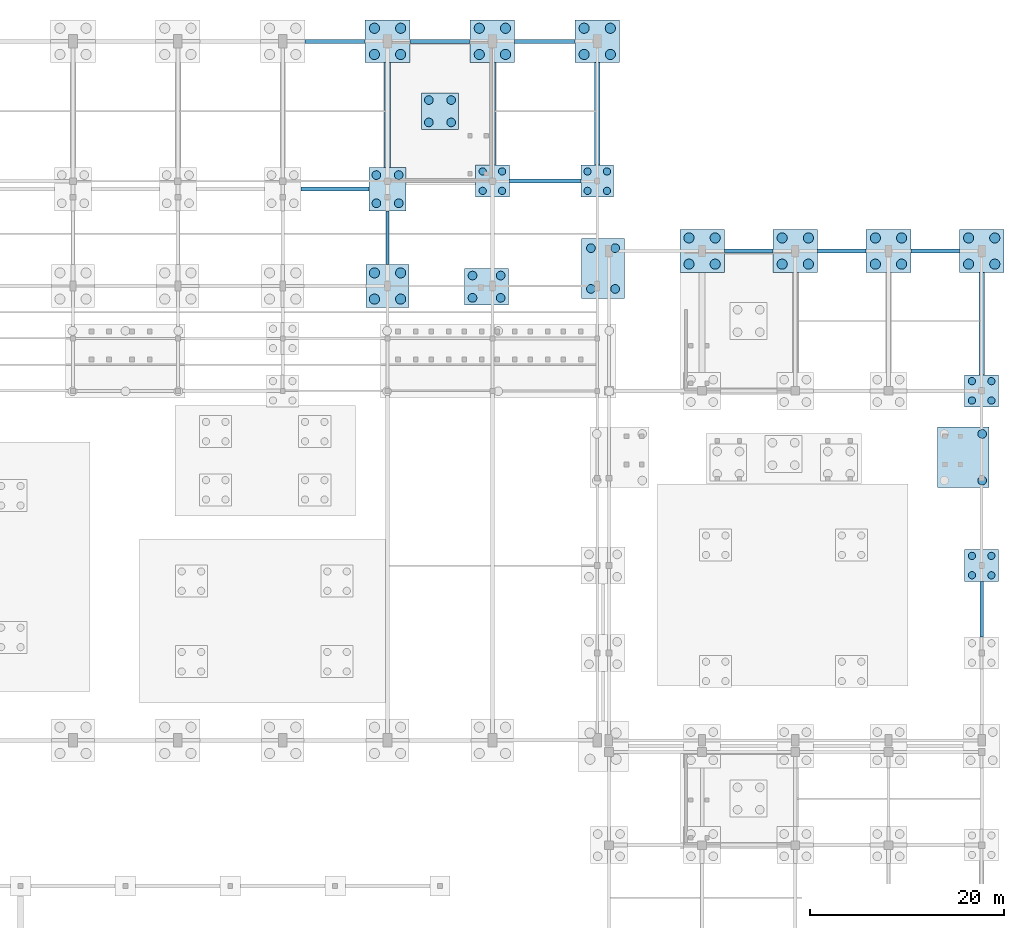
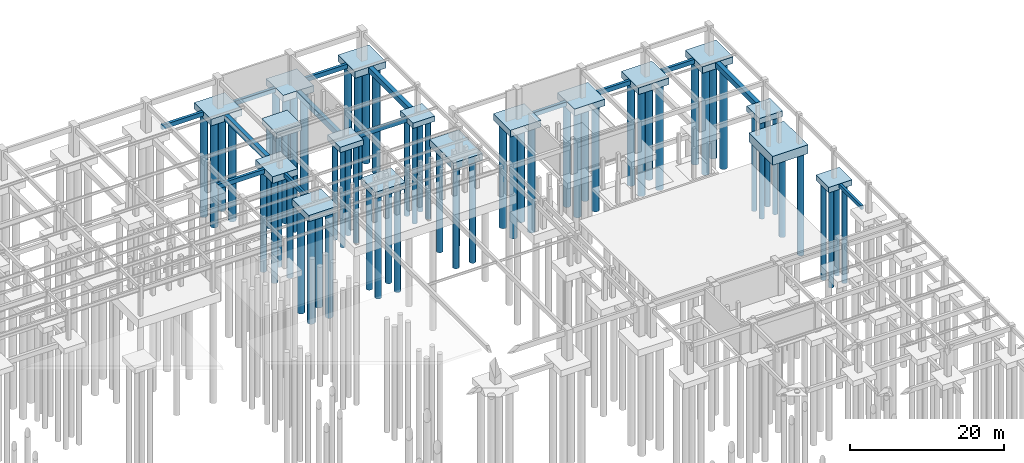
# One storey, part 10 of 33: 66 piles, 31 footings.
"""IFC4 building model written with IfcOpenShell, lengths in metres."""

from ifc_helpers import new_model, si_unit, direction, frame, origin, origin_2d, place, context, subcontext, project, spatial, rectangle, circle, extrude, material, material_profile, profile_set, type_object, element, save


model = new_model("IFC4")

# Units and contexts
model_context = context("Model", 3, precision=1e-05, world=origin(), true_north=direction((0.0, 1.0)))
body_context = subcontext(model_context, "Body", "Model", "MODEL_VIEW")
ifc_project = project(units=[si_unit("LENGTHUNIT", "METRE"), si_unit("AREAUNIT", "SQUARE_METRE"), si_unit("VOLUMEUNIT", "CUBIC_METRE"), si_unit("PLANEANGLEUNIT", "RADIAN"), si_unit("MASSUNIT", "GRAM", prefix="KILO")], contexts=[model_context])

# Site, building, storey
site_placement = place(None, origin())
site = spatial("IfcSite", under=ifc_project, at=site_placement, CompositionType="ELEMENT")
building_placement = place(site_placement, origin())
building = spatial("IfcBuilding", under=site, at=building_placement, Name="Suirenkawa Promenade Aquatics Centre", CompositionType="ELEMENT")
storey_placement = place(building_placement, frame((0.0, 0.0, -4.800048828125)))
storey = spatial("IfcBuildingStorey", under=building, at=storey_placement, Name="B1", CompositionType="ELEMENT", Elevation=-4.800048828125)

# Footings
ifc_material = material(Name="Concrete M35", Category="concrete")
footing_type_1 = type_object("IfcFootingType", Name="FT-GB-350x650", PredefinedType="FOOTING_BEAM", material=ifc_material)
footing_1_placement = place(storey_placement, frame((133.199951171875, 102.16259765625, -0.64990234375), z_axis=(0.0, 0.0, 1.0), x_axis=(0.0, 1.0, 0.0)))
element("IfcFooting", 1, at=footing_1_placement, inside=storey, type_object=footing_type_1, Name="Ground tie beam GB-06 GB-0277", PredefinedType="FOOTING_BEAM", context=body_context, shape_type="SweptSolid", body=[
    extrude(rectangle(XDim=5.52490234375, YDim=0.35009765625, at=origin_2d()), origin(), (0.0, 0.0, 1.0), 0.64990234375),
])
footing_2_placement = place(storey_placement, frame((194.39990234375, 63.89990234375, -0.64990234375), z_axis=(0.0, 0.0, 1.0), x_axis=(0.0, 1.0, 0.0)))
element("IfcFooting", 2, at=footing_2_placement, inside=storey, type_object=footing_type_1, Name="Ground tie beam GB-06 GB-0312", PredefinedType="FOOTING_BEAM", context=body_context, shape_type="SweptSolid", body=[
    extrude(rectangle(XDim=5.699951171875, YDim=0.35009765625, at=origin_2d()), origin(), (0.0, 0.0, 1.0), 0.64990234375),
])
footing_type_2 = type_object("IfcFootingType", Name="FT-GB-400x700", PredefinedType="FOOTING_BEAM", material=ifc_material)
for number, where, z_axis, x_axis, name in (
    (3, (170.39990234375, 100.800048828125, -0.69970703125), (0.0, 0.0, 1.0), (1.0, 0.0, 0.0), "Ground tie beam GB-01 GB-0135"),
    (4, (180.0, 100.800048828125, -0.69970703125), (0.0, 0.0, 1.0), (1.0, 0.0, 0.0), "Ground tie beam GB-01 GB-0136"),
    (5, (189.60009765625, 100.800048828125, -0.69970703125), (0.0, 0.0, 1.0), (1.0, 0.0, 0.0), "Ground tie beam GB-01 GB-0137"),
):
    element("IfcFooting", number, at=place(storey_placement, frame(where, z_axis=z_axis, x_axis=x_axis)), inside=storey, type_object=footing_type_2, Name=name, PredefinedType="FOOTING_BEAM", context=body_context, shape_type="SweptSolid", body=[
        extrude(rectangle(XDim=5.0, YDim=0.39990234375, at=origin_2d()), origin(), (0.0, 0.0, 1.0), 0.699951171875),
    ])
footing_3_placement = place(storey_placement, frame((127.800048828125, 107.175048828125, -0.69970703125), z_axis=(0.0, 0.0, 1.0), x_axis=(1.0, 0.0, 0.0)))
element("IfcFooting", 6, at=footing_3_placement, inside=storey, type_object=footing_type_2, Name="Ground tie beam GB-01 GB-0143", PredefinedType="FOOTING_BEAM", context=body_context, shape_type="SweptSolid", body=[
    extrude(rectangle(XDim=7.0, YDim=0.39990234375, at=origin_2d()), origin(), (0.0, 0.0, 1.0), 0.699951171875),
])
footing_4_placement = place(storey_placement, frame((149.449951171875, 108.0, -0.69970703125), z_axis=(0.0, 0.0, 1.0), x_axis=(1.0, 0.0, 0.0)))
element("IfcFooting", 7, at=footing_4_placement, inside=storey, type_object=footing_type_2, Name="Ground tie beam GB-01 GB-0150", PredefinedType="FOOTING_BEAM", context=body_context, shape_type="SweptSolid", body=[
    extrude(rectangle(XDim=7.39990234375, YDim=0.39990234375, at=origin_2d()), origin(), (0.0, 0.0, 1.0), 0.699951171875),
])
for number, where, z_axis, x_axis, name in (
    (8, (127.800048828125, 122.39990234375, -0.69970703125), (0.0, 0.0, 1.0), (1.0, 0.0, 0.0), "Ground tie beam GB-01 GB-0163"),
    (9, (138.60009765625, 122.39990234375, -0.69970703125), (0.0, 0.0, 1.0), (1.0, 0.0, 0.0), "Ground tie beam GB-01 GB-0164"),
    (10, (149.39990234375, 122.39990234375, -0.69970703125), (0.0, 0.0, 1.0), (1.0, 0.0, 0.0), "Ground tie beam GB-01 GB-0165"),
):
    element("IfcFooting", number, at=place(storey_placement, frame(where, z_axis=z_axis, x_axis=x_axis)), inside=storey, type_object=footing_type_2, Name=name, PredefinedType="FOOTING_BEAM", context=body_context, shape_type="SweptSolid", body=[
        extrude(rectangle(XDim=6.199951171875, YDim=0.39990234375, at=origin_2d()), origin(), (0.0, 0.0, 1.0), 0.699951171875),
    ])
footing_type_3 = type_object("IfcFootingType", Name="FT-GB-600x900", PredefinedType="FOOTING_BEAM", material=ifc_material)
footing_5_placement = place(storey_placement, frame((133.199951171875, 114.8125, -0.89990234375), z_axis=(0.0, 0.0, 1.0), x_axis=(0.0, 1.0, 0.0)))
element("IfcFooting", 11, at=footing_5_placement, inside=storey, type_object=footing_type_3, Name="Ground tie beam GB-05 GB-0278", PredefinedType="FOOTING_BEAM", context=body_context, shape_type="SweptSolid", body=[
    extrude(rectangle(XDim=10.77490234375, YDim=0.60009765625, at=origin_2d()), origin(), (0.0, 0.0, 1.0), 0.89990234375),
])
for number, where, z_axis, x_axis, name in (
    (12, (144.0, 114.925048828125, -0.89990234375), (0.0, 0.0, 1.0), (0.0, 1.0, 0.0), "Ground tie beam GB-05 GB-0282"),
    (13, (154.800048828125, 114.925048828125, -0.89990234375), (0.0, 0.0, 1.0), (0.0, 1.0, 0.0), "Ground tie beam GB-05 GB-0283"),
    (14, (194.39990234375, 93.324951171875, -0.89990234375), (0.0, 0.0, 1.0), (0.0, 1.0, 0.0), "Ground tie beam GB-05 GB-0313"),
):
    element("IfcFooting", number, at=place(storey_placement, frame(where, z_axis=z_axis, x_axis=x_axis)), inside=storey, type_object=footing_type_3, Name=name, PredefinedType="FOOTING_BEAM", context=body_context, shape_type="SweptSolid", body=[
        extrude(rectangle(XDim=10.550048828125, YDim=0.60009765625, at=origin_2d()), origin(), (0.0, 0.0, 1.0), 0.89990234375),
    ])
footing_type_4 = type_object("IfcFootingType", Name="FT-PC-3300x3300x850", PredefinedType="PILE_CAP", material=ifc_material)
footing_6_placement = place(storey_placement, frame((154.800048828125, 108.0, -0.85009765625), z_axis=(0.0, 0.0, 1.0), x_axis=(1.0, 0.0, 0.0)))
element("IfcFooting", 15, at=footing_6_placement, inside=storey, type_object=footing_type_4, Name="Foundation PC-02 CAP-198", PredefinedType="PILE_CAP", context=body_context, shape_type="SweptSolid", body=[
    extrude(rectangle(XDim=3.300048828125, YDim=3.300048828125, at=origin_2d()), origin(), (0.0, 0.0, 1.0), 0.85009765625),
])
footing_type_5 = type_object("IfcFootingType", Name="FT-PC-3500x3300x880", PredefinedType="PILE_CAP", material=ifc_material)
for number, where, z_axis, x_axis, name in (
    (16, (194.39990234375, 68.39990234375, -0.8798828125), (0.0, 0.0, 1.0), (1.0, 0.0, 0.0), "Foundation PC-03 CAP-134"),
    (17, (194.39990234375, 86.39990234375, -0.8798828125), (0.0, 0.0, 1.0), (1.0, 0.0, 0.0), "Foundation PC-03 CAP-158"),
    (18, (144.0, 108.0, -0.8798828125), (0.0, 0.0, 1.0), (1.0, 0.0, 0.0), "Foundation PC-03 CAP-197"),
):
    element("IfcFooting", number, at=place(storey_placement, frame(where, z_axis=z_axis, x_axis=x_axis)), inside=storey, type_object=footing_type_5, Name=name, PredefinedType="PILE_CAP", context=body_context, shape_type="SweptSolid", body=[
        extrude(rectangle(XDim=3.5, YDim=3.300048828125, at=origin_2d()), origin(), (0.0, 0.0, 1.0), 0.8798828125),
    ])
footing_type_6 = type_object("IfcFootingType", Name="FT-PC-3800x3800x900", PredefinedType="PILE_CAP", material=ifc_material)
footing_7_placement = place(storey_placement, frame((138.60009765625, 115.199951171875, -0.89990234375), z_axis=(0.0, 0.0, 1.0), x_axis=(1.0, 0.0, 0.0)))
element("IfcFooting", 19, at=footing_7_placement, inside=storey, type_object=footing_type_6, Name="Foundation PC-04 CAP-245", PredefinedType="PILE_CAP", context=body_context, shape_type="SweptSolid", body=[
    extrude(rectangle(XDim=3.800048828125, YDim=3.800048828125, at=origin_2d()), origin(), (0.0, 0.0, 1.0), 0.89990234375),
])
footing_type_7 = type_object("IfcFootingType", Name="FT-PC-4400x4400x1000", PredefinedType="PILE_CAP", material=ifc_material)
footing_8_placement = place(storey_placement, frame((133.199951171875, 97.199951171875, -1.0), z_axis=(0.0, 0.0, 1.0), x_axis=(1.0, 0.0, 0.0)))
element("IfcFooting", 20, at=footing_8_placement, inside=storey, type_object=footing_type_7, Name="Foundation PC-06 CAP-177", PredefinedType="PILE_CAP", context=body_context, shape_type="SweptSolid", body=[
    extrude(rectangle(XDim=4.39990234375, YDim=4.39990234375, at=origin_2d()), origin(), (0.0, 0.0, 1.0), 1.0),
])
footing_type_8 = type_object("IfcFootingType", Name="FT-PC-4600x4400x1050", PredefinedType="PILE_CAP", material=ifc_material)
for number, where, z_axis, x_axis, name in (
    (21, (165.60009765625, 100.800048828125, -1.0498046875), (0.0, 0.0, 1.0), (1.0, 0.0, 0.0), "Foundation PC-07 CAP-179"),
    (22, (175.199951171875, 100.800048828125, -1.0498046875), (0.0, 0.0, 1.0), (1.0, 0.0, 0.0), "Foundation PC-07 CAP-180"),
    (23, (184.800048828125, 100.800048828125, -1.0498046875), (0.0, 0.0, 1.0), (1.0, 0.0, 0.0), "Foundation PC-07 CAP-181"),
    (24, (194.39990234375, 100.800048828125, -1.0498046875), (0.0, 0.0, 1.0), (1.0, 0.0, 0.0), "Foundation PC-07 CAP-182"),
    (25, (133.199951171875, 122.39990234375, -1.0498046875), (0.0, 0.0, 1.0), (1.0, 0.0, 0.0), "Foundation PC-07 CAP-214"),
    (26, (144.0, 122.39990234375, -1.0498046875), (0.0, 0.0, 1.0), (1.0, 0.0, 0.0), "Foundation PC-07 CAP-215"),
    (27, (154.800048828125, 122.39990234375, -1.0498046875), (0.0, 0.0, 1.0), (1.0, 0.0, 0.0), "Foundation PC-07 CAP-216"),
):
    element("IfcFooting", number, at=place(storey_placement, frame(where, z_axis=z_axis, x_axis=x_axis)), inside=storey, type_object=footing_type_8, Name=name, PredefinedType="PILE_CAP", context=body_context, shape_type="SweptSolid", body=[
        extrude(rectangle(XDim=4.60009765625, YDim=4.39990234375, at=origin_2d()), origin(), (0.0, 0.0, 1.0), 1.050048828125),
    ])
footing_type_9 = type_object("IfcFootingType", Name="FT-PCC-3800x4500x1050", PredefinedType="PILE_CAP", material=ifc_material)
footing_9_placement = place(storey_placement, frame((133.199951171875, 107.175048828125, -1.0498046875), z_axis=(0.0, 0.0, 1.0), x_axis=(1.0, 0.0, 0.0)))
element("IfcFooting", 28, at=footing_9_placement, inside=storey, type_object=footing_type_9, Name="Foundation PCC-02 CAP-189", PredefinedType="PILE_CAP", context=body_context, shape_type="SweptSolid", body=[
    extrude(rectangle(XDim=3.800048828125, YDim=4.5, at=origin_2d()), origin(), (0.0, 0.0, 1.0), 1.050048828125),
])
footing_type_10 = type_object("IfcFootingType", Name="FT-PCC-4400x6200x1100", PredefinedType="PILE_CAP", material=ifc_material)
footing_10_placement = place(storey_placement, frame((155.39990234375, 99.0, -1.10009765625), z_axis=(0.0, 0.0, 1.0), x_axis=(1.0, 0.0, 0.0)))
element("IfcFooting", 29, at=footing_10_placement, inside=storey, type_object=footing_type_10, Name="Foundation PCC-04 CAP-178", PredefinedType="PILE_CAP", context=body_context, shape_type="SweptSolid", body=[
    extrude(rectangle(XDim=4.39990234375, YDim=6.199951171875, at=origin_2d()), origin(), (0.0, 0.0, 1.0), 1.10009765625),
])
footing_type_11 = type_object("IfcFootingType", Name="FT-PCC-4500x3800x1050", PredefinedType="PILE_CAP", material=ifc_material)
footing_11_placement = place(storey_placement, frame((143.39990234375, 97.125, -1.0498046875), z_axis=(0.0, 0.0, 1.0), x_axis=(1.0, 0.0, 0.0)))
element("IfcFooting", 30, at=footing_11_placement, inside=storey, type_object=footing_type_11, Name="Foundation PCC-01 CAP-163", PredefinedType="PILE_CAP", context=body_context, shape_type="SweptSolid", body=[
    extrude(rectangle(XDim=4.5, YDim=3.800048828125, at=origin_2d()), origin(), (0.0, 0.0, 1.0), 1.050048828125),
])
footing_type_12 = type_object("IfcFootingType", Name="FT-PCC-5290x6200", PredefinedType="PILE_CAP", material=ifc_material)
footing_12_placement = place(storey_placement, frame((192.5048828125, 79.56201171875, -1.39990234375), z_axis=(0.0, 0.0, 1.0), x_axis=(1.0, 0.0, 0.0)))
element("IfcFooting", 31, at=footing_12_placement, inside=storey, type_object=footing_type_12, Name="Foundation PCC-04 CAP-142", PredefinedType="PILE_CAP", context=body_context, shape_type="SweptSolid", body=[
    extrude(rectangle(XDim=5.2900390625, YDim=6.199951171875, at=origin_2d()), origin(), (0.0, 0.0, 1.0), 1.39990234375),
])

# Piles
ifc_material_profile_1 = material_profile(ifc_material, circle(Radius=0.52490234375, at=origin_2d()), Name="PILE D1050", Category="concrete")
ifc_profile_set_1 = profile_set([ifc_material_profile_1], Name="Concrete M35")
pile_type_1 = type_object("IfcPileType", Name="PT-BORED-1050", PredefinedType="BORED", material=ifc_profile_set_1)
for number, where, z_axis, x_axis, name in (
    (32, (131.85009765625, 95.85009765625, -0.89990234375), (0.0, 0.0, -1.0), (1.0, 0.0, 0.0), "Bored pile PL-04 PL-0671"),
    (33, (131.85009765625, 98.550048828125, -0.89990234375), (0.0, 0.0, -1.0), (1.0, 0.0, 0.0), "Bored pile PL-04 PL-0672"),
    (34, (134.550048828125, 95.85009765625, -0.89990234375), (0.0, 0.0, -1.0), (1.0, 0.0, 0.0), "Bored pile PL-04 PL-0673"),
    (35, (134.550048828125, 98.550048828125, -0.89990234375), (0.0, 0.0, -1.0), (1.0, 0.0, 0.0), "Bored pile PL-04 PL-0674"),
    (36, (164.25, 99.449951171875, -0.89990234375), (0.0, 0.0, -1.0), (1.0, 0.0, 0.0), "Bored pile PL-04 PL-0679"),
    (37, (164.25, 102.14990234375, -0.89990234375), (0.0, 0.0, -1.0), (1.0, 0.0, 0.0), "Bored pile PL-04 PL-0680"),
    (38, (166.949951171875, 99.449951171875, -0.89990234375), (0.0, 0.0, -1.0), (1.0, 0.0, 0.0), "Bored pile PL-04 PL-0681"),
    (39, (166.949951171875, 102.14990234375, -0.89990234375), (0.0, 0.0, -1.0), (1.0, 0.0, 0.0), "Bored pile PL-04 PL-0682"),
    (40, (173.85009765625, 99.449951171875, -0.89990234375), (0.0, 0.0, -1.0), (1.0, 0.0, 0.0), "Bored pile PL-04 PL-0683"),
    (41, (173.85009765625, 102.14990234375, -0.89990234375), (0.0, 0.0, -1.0), (1.0, 0.0, 0.0), "Bored pile PL-04 PL-0684"),
    (42, (176.550048828125, 99.449951171875, -0.89990234375), (0.0, 0.0, -1.0), (1.0, 0.0, 0.0), "Bored pile PL-04 PL-0685"),
    (43, (176.550048828125, 102.14990234375, -0.89990234375), (0.0, 0.0, -1.0), (1.0, 0.0, 0.0), "Bored pile PL-04 PL-0686"),
    (44, (183.449951171875, 99.449951171875, -0.89990234375), (0.0, 0.0, -1.0), (1.0, 0.0, 0.0), "Bored pile PL-04 PL-0687"),
    (45, (183.449951171875, 102.14990234375, -0.89990234375), (0.0, 0.0, -1.0), (1.0, 0.0, 0.0), "Bored pile PL-04 PL-0688"),
    (46, (186.14990234375, 99.449951171875, -0.89990234375), (0.0, 0.0, -1.0), (1.0, 0.0, 0.0), "Bored pile PL-04 PL-0689"),
    (47, (186.14990234375, 102.14990234375, -0.89990234375), (0.0, 0.0, -1.0), (1.0, 0.0, 0.0), "Bored pile PL-04 PL-0690"),
    (48, (193.050048828125, 99.449951171875, -0.89990234375), (0.0, 0.0, -1.0), (1.0, 0.0, 0.0), "Bored pile PL-04 PL-0691"),
    (49, (193.050048828125, 102.14990234375, -0.89990234375), (0.0, 0.0, -1.0), (1.0, 0.0, 0.0), "Bored pile PL-04 PL-0692"),
    (50, (195.75, 99.449951171875, -0.89990234375), (0.0, 0.0, -1.0), (1.0, 0.0, 0.0), "Bored pile PL-04 PL-0693"),
    (51, (195.75, 102.14990234375, -0.89990234375), (0.0, 0.0, -1.0), (1.0, 0.0, 0.0), "Bored pile PL-04 PL-0694"),
    (52, (131.85009765625, 121.050048828125, -0.89990234375), (0.0, 0.0, -1.0), (1.0, 0.0, 0.0), "Bored pile PL-04 PL-0819"),
    (53, (131.85009765625, 123.75, -0.89990234375), (0.0, 0.0, -1.0), (1.0, 0.0, 0.0), "Bored pile PL-04 PL-0820"),
    (54, (134.550048828125, 121.050048828125, -0.89990234375), (0.0, 0.0, -1.0), (1.0, 0.0, 0.0), "Bored pile PL-04 PL-0821"),
    (55, (134.550048828125, 123.75, -0.89990234375), (0.0, 0.0, -1.0), (1.0, 0.0, 0.0), "Bored pile PL-04 PL-0822"),
    (56, (142.64990234375, 121.050048828125, -0.89990234375), (0.0, 0.0, -1.0), (1.0, 0.0, 0.0), "Bored pile PL-04 PL-0823"),
    (57, (142.64990234375, 123.75, -0.89990234375), (0.0, 0.0, -1.0), (1.0, 0.0, 0.0), "Bored pile PL-04 PL-0824"),
    (58, (145.35009765625, 121.050048828125, -0.89990234375), (0.0, 0.0, -1.0), (1.0, 0.0, 0.0), "Bored pile PL-04 PL-0825"),
    (59, (145.35009765625, 123.75, -0.89990234375), (0.0, 0.0, -1.0), (1.0, 0.0, 0.0), "Bored pile PL-04 PL-0826"),
    (60, (153.449951171875, 121.050048828125, -0.89990234375), (0.0, 0.0, -1.0), (1.0, 0.0, 0.0), "Bored pile PL-04 PL-0827"),
    (61, (153.449951171875, 123.75, -0.89990234375), (0.0, 0.0, -1.0), (1.0, 0.0, 0.0), "Bored pile PL-04 PL-0828"),
    (62, (156.14990234375, 121.050048828125, -0.89990234375), (0.0, 0.0, -1.0), (1.0, 0.0, 0.0), "Bored pile PL-04 PL-0829"),
    (63, (156.14990234375, 123.75, -0.89990234375), (0.0, 0.0, -1.0), (1.0, 0.0, 0.0), "Bored pile PL-04 PL-0830"),
):
    element("IfcPile", number, at=place(storey_placement, frame(where, z_axis=z_axis, x_axis=x_axis)), inside=storey, type_object=pile_type_1, Name=name, PredefinedType="BORED", context=body_context, shape_type="SweptSolid", body=[
        extrude(circle(Radius=0.52490234375, at=origin_2d()), origin(), (0.0, 0.0, 1.0), 16.800048828125),
    ])
ifc_material_profile_2 = material_profile(ifc_material, circle(Radius=0.375, at=origin_2d()), Name="PILE D750", Category="concrete")
ifc_profile_set_2 = profile_set([ifc_material_profile_2], Name="Concrete M35")
pile_type_2 = type_object("IfcPileType", Name="PT-BORED-750", PredefinedType="BORED", material=ifc_profile_set_2)
for number, where, z_axis, x_axis, name in (
    (64, (193.39990234375, 67.39990234375, -0.75), (0.0, 0.0, -1.0), (1.0, 0.0, 0.0), "Bored pile PL-02 PL-0493"),
    (65, (193.39990234375, 69.39990234375, -0.75), (0.0, 0.0, -1.0), (1.0, 0.0, 0.0), "Bored pile PL-02 PL-0494"),
    (66, (195.39990234375, 67.39990234375, -0.75), (0.0, 0.0, -1.0), (1.0, 0.0, 0.0), "Bored pile PL-02 PL-0495"),
    (67, (195.39990234375, 69.39990234375, -0.75), (0.0, 0.0, -1.0), (1.0, 0.0, 0.0), "Bored pile PL-02 PL-0496"),
    (68, (193.39990234375, 85.39990234375, -0.75), (0.0, 0.0, -1.0), (1.0, 0.0, 0.0), "Bored pile PL-02 PL-0595"),
    (69, (193.39990234375, 87.39990234375, -0.75), (0.0, 0.0, -1.0), (1.0, 0.0, 0.0), "Bored pile PL-02 PL-0596"),
    (70, (195.39990234375, 85.39990234375, -0.75), (0.0, 0.0, -1.0), (1.0, 0.0, 0.0), "Bored pile PL-02 PL-0597"),
    (71, (195.39990234375, 87.39990234375, -0.75), (0.0, 0.0, -1.0), (1.0, 0.0, 0.0), "Bored pile PL-02 PL-0598"),
    (72, (143.0, 107.0, -0.75), (0.0, 0.0, -1.0), (1.0, 0.0, 0.0), "Bored pile PL-02 PL-0751"),
    (73, (143.0, 109.0, -0.75), (0.0, 0.0, -1.0), (1.0, 0.0, 0.0), "Bored pile PL-02 PL-0752"),
    (74, (145.0, 107.0, -0.75), (0.0, 0.0, -1.0), (1.0, 0.0, 0.0), "Bored pile PL-02 PL-0753"),
    (75, (145.0, 109.0, -0.75), (0.0, 0.0, -1.0), (1.0, 0.0, 0.0), "Bored pile PL-02 PL-0754"),
    (76, (153.800048828125, 107.0, -0.75), (0.0, 0.0, -1.0), (1.0, 0.0, 0.0), "Bored pile PL-02 PL-0755"),
    (77, (153.800048828125, 109.0, -0.75), (0.0, 0.0, -1.0), (1.0, 0.0, 0.0), "Bored pile PL-02 PL-0756"),
    (78, (155.800048828125, 107.0, -0.75), (0.0, 0.0, -1.0), (1.0, 0.0, 0.0), "Bored pile PL-02 PL-0757"),
    (79, (155.800048828125, 109.0, -0.75), (0.0, 0.0, -1.0), (1.0, 0.0, 0.0), "Bored pile PL-02 PL-0758"),
):
    element("IfcPile", number, at=place(storey_placement, frame(where, z_axis=z_axis, x_axis=x_axis)), inside=storey, type_object=pile_type_2, Name=name, PredefinedType="BORED", context=body_context, shape_type="SweptSolid", body=[
        extrude(circle(Radius=0.375, at=origin_2d()), origin(), (0.0, 0.0, 1.0), 15.60009765625),
    ])
ifc_material_profile_3 = material_profile(ifc_material, circle(Radius=0.449951171875, at=origin_2d()), Name="PILE D900", Category="concrete")
ifc_profile_set_3 = profile_set([ifc_material_profile_3], Name="Concrete M35")
pile_type_3 = type_object("IfcPileType", Name="PT-BORED-900", PredefinedType="BORED", material=ifc_profile_set_3)
for number, where, z_axis, x_axis, name in (
    (80, (194.449951171875, 77.162109375, -1.300048828125), (0.0, 0.0, -1.0), (1.0, 0.0, 0.0), "Bored pile PL-03 PL-0527"),
    (81, (194.449951171875, 81.9619140625, -1.300048828125), (0.0, 0.0, -1.0), (1.0, 0.0, 0.0), "Bored pile PL-03 PL-0528"),
    (82, (137.449951171875, 114.050048828125, -0.800048828125), (0.0, 0.0, -1.0), (1.0, 0.0, 0.0), "Bored pile PL-03 PL-0943"),
    (83, (137.449951171875, 116.35009765625, -0.800048828125), (0.0, 0.0, -1.0), (1.0, 0.0, 0.0), "Bored pile PL-03 PL-0944"),
    (84, (139.75, 114.050048828125, -0.800048828125), (0.0, 0.0, -1.0), (1.0, 0.0, 0.0), "Bored pile PL-03 PL-0945"),
    (85, (139.75, 116.35009765625, -0.800048828125), (0.0, 0.0, -1.0), (1.0, 0.0, 0.0), "Bored pile PL-03 PL-0946"),
):
    element("IfcPile", number, at=place(storey_placement, frame(where, z_axis=z_axis, x_axis=x_axis)), inside=storey, type_object=pile_type_3, Name=name, PredefinedType="BORED", context=body_context, shape_type="SweptSolid", body=[
        extrude(circle(Radius=0.449951171875, at=origin_2d()), origin(), (0.0, 0.0, 1.0), 16.199951171875),
    ])
ifc_material_profile_4 = material_profile(ifc_material, circle(Radius=0.449951171875, at=origin_2d()), Name="PILE D900", Category="concrete")
ifc_profile_set_4 = profile_set([ifc_material_profile_4], Name="Concrete M35")
pile_type_4 = type_object("IfcPileType", Name="PT-BORED-900B", PredefinedType="BORED", material=ifc_profile_set_4)
for number, where, z_axis, x_axis, name in (
    (86, (141.949951171875, 95.97509765625, -0.949951171875), (0.0, 0.0, -1.0), (1.0, 0.0, 0.0), "Bored pile PL-03B PL-0615"),
    (87, (141.949951171875, 98.27490234375, -0.949951171875), (0.0, 0.0, -1.0), (1.0, 0.0, 0.0), "Bored pile PL-03B PL-0616"),
    (88, (144.85009765625, 95.97509765625, -0.949951171875), (0.0, 0.0, -1.0), (1.0, 0.0, 0.0), "Bored pile PL-03B PL-0617"),
    (89, (144.85009765625, 98.27490234375, -0.949951171875), (0.0, 0.0, -1.0), (1.0, 0.0, 0.0), "Bored pile PL-03B PL-0618"),
    (90, (154.14990234375, 96.89990234375, -1.0), (0.0, 0.0, -1.0), (1.0, 0.0, 0.0), "Bored pile PL-03B PL-0675"),
    (91, (154.14990234375, 101.10009765625, -1.0), (0.0, 0.0, -1.0), (1.0, 0.0, 0.0), "Bored pile PL-03B PL-0676"),
    (92, (156.64990234375, 96.89990234375, -1.0), (0.0, 0.0, -1.0), (1.0, 0.0, 0.0), "Bored pile PL-03B PL-0677"),
    (93, (156.64990234375, 101.10009765625, -1.0), (0.0, 0.0, -1.0), (1.0, 0.0, 0.0), "Bored pile PL-03B PL-0678"),
    (94, (132.050048828125, 105.72509765625, -0.949951171875), (0.0, 0.0, -1.0), (1.0, 0.0, 0.0), "Bored pile PL-03B PL-0719"),
    (95, (132.050048828125, 108.625, -0.949951171875), (0.0, 0.0, -1.0), (1.0, 0.0, 0.0), "Bored pile PL-03B PL-0720"),
    (96, (134.35009765625, 105.72509765625, -0.949951171875), (0.0, 0.0, -1.0), (1.0, 0.0, 0.0), "Bored pile PL-03B PL-0721"),
    (97, (134.35009765625, 108.625, -0.949951171875), (0.0, 0.0, -1.0), (1.0, 0.0, 0.0), "Bored pile PL-03B PL-0722"),
):
    element("IfcPile", number, at=place(storey_placement, frame(where, z_axis=z_axis, x_axis=x_axis)), inside=storey, type_object=pile_type_4, Name=name, PredefinedType="BORED", context=body_context, shape_type="SweptSolid", body=[
        extrude(circle(Radius=0.449951171875, at=origin_2d()), origin(), (0.0, 0.0, 1.0), 16.39990234375),
    ])

save(model, "model.ifc")
